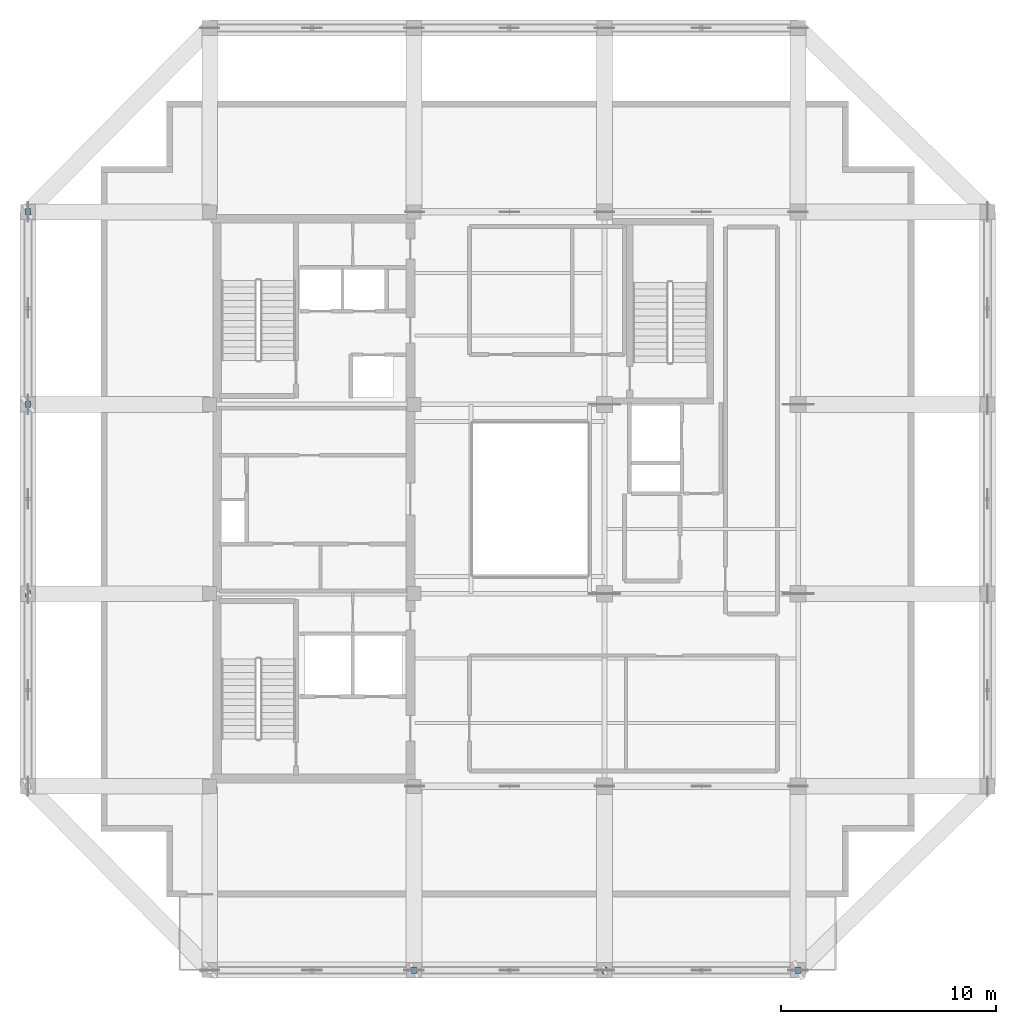
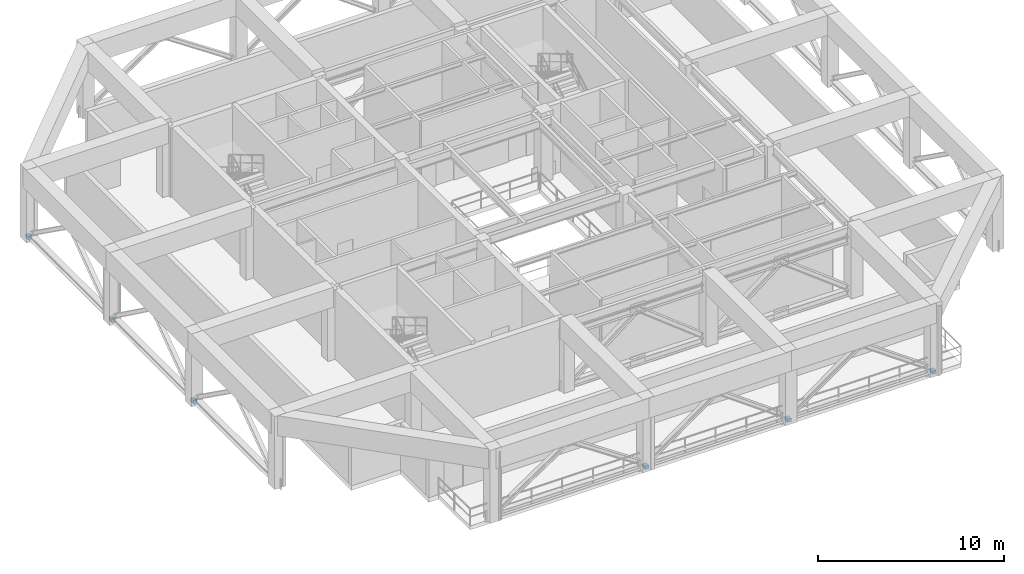
# One storey, part 6 of 10: 6 discrete accessories.
"""IFC4 building model written with IfcOpenShell, lengths in metres."""

from ifc_helpers import new_model, si_unit, direction, frame, origin, origin_2d, place, context, subcontext, project, spatial, rectangle, extrude, material, type_object, element, save


model = new_model("IFC4")

# Units and contexts
model_context = context("Model", 3, precision=1e-05, world=origin(), true_north=direction((0.0, 1.0)))
body_context = subcontext(model_context, "Body", "Model", "MODEL_VIEW")
ifc_project = project(units=[si_unit("LENGTHUNIT", "METRE"), si_unit("AREAUNIT", "SQUARE_METRE"), si_unit("VOLUMEUNIT", "CUBIC_METRE"), si_unit("PLANEANGLEUNIT", "RADIAN"), si_unit("MASSUNIT", "GRAM", prefix="KILO")], contexts=[model_context])

# Site, building, storey
site_placement = place(None, origin())
site = spatial("IfcSite", under=ifc_project, at=site_placement, CompositionType="ELEMENT")
building_placement = place(site_placement, origin())
building = spatial("IfcBuilding", under=site, at=building_placement, Name="Kundavana Baori Tower", CompositionType="ELEMENT")
storey_placement = place(building_placement, frame((0.0, 0.0, 307.699951171875)))
storey = spatial("IfcBuildingStorey", under=building, at=storey_placement, Name="L76", CompositionType="ELEMENT", Elevation=307.699951171875)

# Discrete accessories
ifc_material = material(Name="Structural Steel S355JR", Category="steel")
discrete_accessory_type = type_object("IfcDiscreteAccessoryType", Name="ACC-BRK-FIN", PredefinedType="BRACKET", material=ifc_material)
for number, where, z_axis, x_axis, name in (
    (1, (24.949951171875, 6.699951171875, 0.0), (0.0, 0.0, 1.0), (1.0, 0.0, 0.0), "L76 Stainless Fin Anchor Bracket 2"),
    (2, (33.800048828125, 6.699951171875, 0.0), (0.0, 0.0, 1.0), (1.0, 0.0, 0.0), "L76 Stainless Fin Anchor Bracket 3"),
    (3, (42.800048828125, 6.699951171875, 0.0), (0.0, 0.0, 1.0), (1.0, 0.0, 0.0), "L76 Stainless Fin Anchor Bracket 4"),
    (4, (7.0, 24.199951171875, 0.0), (0.0, 0.0, 1.0), (1.0, 0.0, 0.0), "L76 Stainless Fin Anchor Bracket 6"),
    (5, (7.0, 33.0, 0.0), (0.0, 0.0, 1.0), (1.0, 0.0, 0.0), "L76 Stainless Fin Anchor Bracket 7"),
    (6, (7.0, 41.949951171875, 0.0), (0.0, 0.0, 1.0), (1.0, 0.0, 0.0), "L76 Stainless Fin Anchor Bracket 8"),
):
    element("IfcDiscreteAccessory", number, at=place(storey_placement, frame(where, z_axis=z_axis, x_axis=x_axis)), inside=storey, type_object=discrete_accessory_type, Name=name, PredefinedType="BRACKET", context=body_context, shape_type="SweptSolid", body=[
        extrude(rectangle(XDim=0.239990234375, YDim=0.300048828125, at=origin_2d()), origin(), (0.0, 0.0, 1.0), 0.219970703125),
    ])

save(model, "model.ifc")
